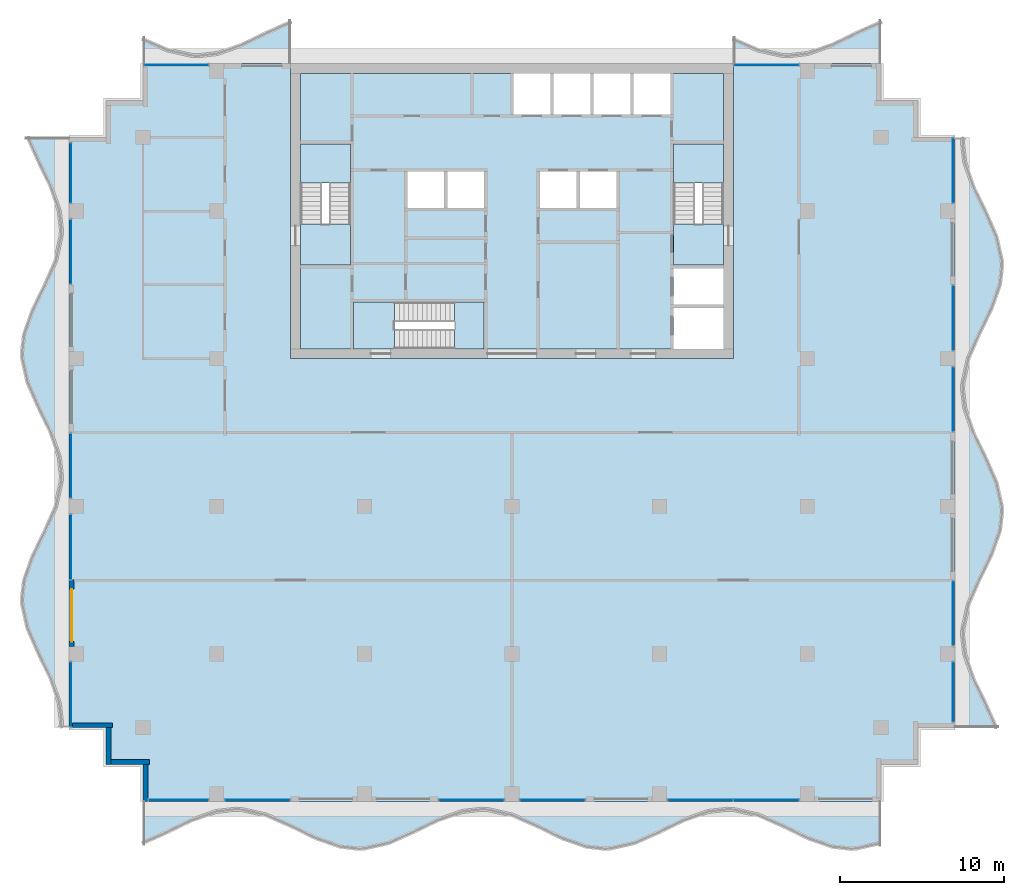
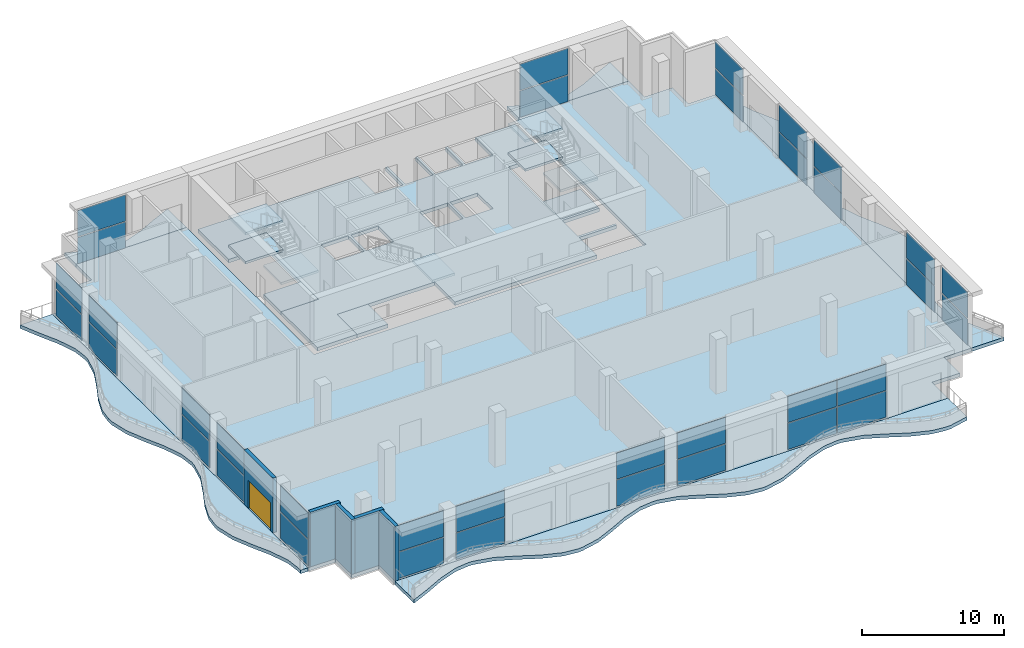
# One storey, part 6 of 14: 36 plates, 17 slabs, 5 walls, 1 door, 1 opening, 20 elements without a shape of their own.
"""IFC4 building model written with IfcOpenShell, lengths in metres."""

from ifc_helpers import new_model, si_unit, direction, frame, frame_2d, origin, origin_2d, place, context, subcontext, project, spatial, polyline, rectangle, outline, extrude, material, layer, layer_set, type_object, element, fill, aggregate, save


model = new_model("IFC4")

# Units and contexts
model_context = context("Model", 3, precision=1e-05, world=origin(), true_north=direction((0.0, 1.0)))
body_context = subcontext(model_context, "Body", "Model", "MODEL_VIEW")
ifc_project = project(units=[si_unit("LENGTHUNIT", "METRE"), si_unit("AREAUNIT", "SQUARE_METRE"), si_unit("VOLUMEUNIT", "CUBIC_METRE"), si_unit("PLANEANGLEUNIT", "RADIAN"), si_unit("MASSUNIT", "GRAM", prefix="KILO")], contexts=[model_context])

# Site, building, storey
site_placement = place(None, origin())
site = spatial("IfcSite", under=ifc_project, at=site_placement, CompositionType="ELEMENT")
building_placement = place(site_placement, origin())
building = spatial("IfcBuilding", under=site, at=building_placement, Name="Orbiselva Terraces", CompositionType="ELEMENT")
storey_placement = place(building_placement, frame((0.0, 0.0, 284.4)))
storey = spatial("IfcBuildingStorey", under=building, at=storey_placement, Name="L72", CompositionType="ELEMENT", Elevation=284.4)

# Slabs
ifc_material_1 = material(Name="Concrete C40/50", Category="concrete")
ifc_layer_1 = layer(ifc_material_1, 0.3)
ifc_layer_set_1 = layer_set([ifc_layer_1], Name="Concrete C40/50")
slab_type_1 = type_object("IfcSlabType", Name="CORE-SLAB-FLOOR-300", PredefinedType="FLOOR", material=ifc_layer_set_1)
slab_1_placement = place(storey_placement, frame((0.0, 0.0, -0.3)))
element("IfcSlab", 1, at=slab_1_placement, inside=storey, type_object=slab_type_1, Name="L72 S1 floor landing", PredefinedType="FLOOR", context=body_context, shape_type="SweptSolid", body=[
    extrude(outline(polyline([(-12.9, 12.7), (-9.85, 12.7), (-9.85, 10.2), (-12.9, 10.2), (-12.9, 12.7)])), origin(), (0.0, 0.0, 1.0), 0.3),
])
slab_2_placement = place(storey_placement, frame((0.0, 0.0, -0.3)))
element("IfcSlab", 2, at=slab_2_placement, inside=storey, type_object=slab_type_1, Name="L72 S2 floor landing", PredefinedType="FLOOR", context=body_context, shape_type="SweptSolid", body=[
    extrude(outline(polyline([(12.9, 12.7), (12.9, 10.2), (9.85, 10.2), (9.85, 12.7), (12.9, 12.7)])), origin(), (0.0, 0.0, 1.0), 0.3),
])
slab_3_placement = place(storey_placement, frame((0.0, 0.0, -0.3)))
element("IfcSlab", 3, at=slab_3_placement, inside=storey, type_object=slab_type_1, Name="L72 S3 floor landing", PredefinedType="FLOOR", context=body_context, shape_type="SweptSolid", body=[
    extrude(outline(polyline([(-7.15, 5.1), (-9.65, 5.1), (-9.65, 7.95), (-7.15, 7.95), (-7.15, 5.1)])), origin(), (0.0, 0.0, 1.0), 0.3),
])
slab_4_placement = place(storey_placement, frame((0.0, 0.0, -0.3)))
element("IfcSlab", 4, at=slab_4_placement, inside=storey, type_object=slab_type_1, Name="L72 core floor slab 1", PredefinedType="FLOOR", context=body_context, shape_type="SweptSolid", body=[
    extrude(outline(polyline([(-1.7, 5.1), (-1.7, 7.95), (-9.65, 7.95), (-9.65, 5.1), (-12.9, 5.1), (-12.9, 10.2), (-9.85, 10.2), (-9.85, 17.6), (-12.9, 17.6), (-12.9, 21.9), (0.1, 21.9), (0.1, 19.4), (2.3375, 19.4), (2.3375, 21.9), (2.5375, 21.9), (2.5375, 19.4), (4.775, 19.4), (4.775, 21.9), (4.975, 21.9), (4.975, 19.4), (7.2125, 19.4), (7.2125, 21.9), (7.4125, 21.9), (7.4125, 19.4), (9.65, 19.4), (9.65, 21.9), (12.9, 21.9), (12.9, 17.6), (9.85, 17.6), (9.85, 10.2), (12.9, 10.2), (12.9, 10.0), (9.85, 10.0), (9.85, 7.8), (12.9, 7.8), (12.9, 7.6), (9.85, 7.6), (9.85, 5.1), (-1.7, 5.1)]), holes=[polyline([(-4.1375, 13.7), (-4.1375, 15.9), (-6.375, 15.9), (-6.375, 13.7), (-4.1375, 13.7)]), polyline([(-1.7, 13.7), (-1.7, 15.9), (-3.9375, 15.9), (-3.9375, 13.7), (-1.7, 13.7)]), polyline([(3.9375, 15.9), (1.7, 15.9), (1.7, 13.7), (3.9375, 13.7), (3.9375, 15.9)]), polyline([(6.375, 13.7), (6.375, 15.9), (4.1375, 15.9), (4.1375, 13.7), (6.375, 13.7)])]), origin(), (0.0, 0.0, 1.0), 0.3),
])

# Stair, slabs
stair_type_1 = type_object("IfcStairType", Name="CORE-STAIR-1300", PredefinedType="HALF_TURN_STAIR", material=ifc_material_1)
stair_1_placement = place(storey_placement, origin())
stair_1 = element("IfcStair", 5, at=stair_1_placement, inside=storey, type_object=stair_type_1, Name="L72 Exit Stair S1", PredefinedType="HALF_TURN_STAIR")
ifc_layer_2 = layer(ifc_material_1, 0.2)
ifc_layer_set_2 = layer_set([ifc_layer_2], Name="Concrete C40/50")
slab_type_2 = type_object("IfcSlabType", Name="CORE-STAIR-LANDING-200", PredefinedType="LANDING", material=ifc_layer_set_2)
slab_5_placement = place(storey_placement, frame((0.0, 0.0, 1.05)))
slab_5 = element("IfcSlab", 6, at=slab_5_placement, type_object=slab_type_2, Name="S1 landing 1", PredefinedType="LANDING", context=body_context, shape_type="SweptSolid", body=[
    extrude(outline(polyline([(-9.85, 15.22), (-9.85, 17.6), (-12.9, 17.6), (-12.9, 15.22), (-9.85, 15.22)])), origin(), (0.0, 0.0, 1.0), 0.2),
])
slab_6_placement = place(storey_placement, frame((0.0, 0.0, 2.3)))
slab_6 = element("IfcSlab", 7, at=slab_6_placement, type_object=slab_type_2, Name="S1 landing 2", PredefinedType="LANDING", context=body_context, shape_type="SweptSolid", body=[
    extrude(outline(polyline([(-9.85, 10.2), (-9.85, 12.7), (-12.9, 12.7), (-12.9, 10.2), (-9.85, 10.2)])), origin(), (0.0, 0.0, 1.0), 0.2),
])
slab_7_placement = place(storey_placement, frame((0.0, 0.0, 3.55)))
slab_7 = element("IfcSlab", 8, at=slab_7_placement, type_object=slab_type_2, Name="S1 landing 3", PredefinedType="LANDING", context=body_context, shape_type="SweptSolid", body=[
    extrude(outline(polyline([(-9.85, 15.22), (-9.85, 17.6), (-12.9, 17.6), (-12.9, 15.22), (-9.85, 15.22)])), origin(), (0.0, 0.0, 1.0), 0.2),
])
aggregate(stair_1, [slab_5, slab_6, slab_7])

stair_2_placement = place(storey_placement, origin())
stair_2 = element("IfcStair", 9, at=stair_2_placement, inside=storey, type_object=stair_type_1, Name="L72 Exit Stair S2", PredefinedType="HALF_TURN_STAIR")
slab_8_placement = place(storey_placement, frame((0.0, 0.0, 1.05)))
slab_8 = element("IfcSlab", 10, at=slab_8_placement, type_object=slab_type_2, Name="S2 landing 1", PredefinedType="LANDING", context=body_context, shape_type="SweptSolid", body=[
    extrude(outline(polyline([(12.9, 15.22), (12.9, 17.6), (9.85, 17.6), (9.85, 15.22), (12.9, 15.22)])), origin(), (0.0, 0.0, 1.0), 0.2),
])
slab_9_placement = place(storey_placement, frame((0.0, 0.0, 2.3)))
slab_9 = element("IfcSlab", 11, at=slab_9_placement, type_object=slab_type_2, Name="S2 landing 2", PredefinedType="LANDING", context=body_context, shape_type="SweptSolid", body=[
    extrude(outline(polyline([(12.9, 10.2), (12.9, 12.7), (9.85, 12.7), (9.85, 10.2), (12.9, 10.2)])), origin(), (0.0, 0.0, 1.0), 0.2),
])
slab_10_placement = place(storey_placement, frame((0.0, 0.0, 3.55)))
slab_10 = element("IfcSlab", 12, at=slab_10_placement, type_object=slab_type_2, Name="S2 landing 3", PredefinedType="LANDING", context=body_context, shape_type="SweptSolid", body=[
    extrude(outline(polyline([(12.9, 15.22), (12.9, 17.6), (9.85, 17.6), (9.85, 15.22), (12.9, 15.22)])), origin(), (0.0, 0.0, 1.0), 0.2),
])
aggregate(stair_2, [slab_8, slab_9, slab_10])

# Stair, slab
stair_type_2 = type_object("IfcStairType", Name="CORE-STAIR-1200", PredefinedType="HALF_TURN_STAIR", material=ifc_material_1)
stair_3_placement = place(storey_placement, origin())
stair_3 = element("IfcStair", 13, at=stair_3_placement, inside=storey, type_object=stair_type_2, Name="L72 Exit Stair S3", PredefinedType="HALF_TURN_STAIR")
slab_11_placement = place(storey_placement, frame((0.0, 0.0, 2.3)))
slab_11 = element("IfcSlab", 14, at=slab_11_placement, type_object=slab_type_2, Name="S3 landing 1", PredefinedType="LANDING", context=body_context, shape_type="SweptSolid", body=[
    extrude(outline(polyline([(-3.51, 5.1), (-1.7, 5.1), (-1.7, 7.95), (-3.51, 7.95), (-3.51, 5.1)])), origin(), (0.0, 0.0, 1.0), 0.2),
])
aggregate(stair_3, [slab_11])

# Slabs
ifc_material_2 = material(Name="Concrete C50/60", Category="concrete")
ifc_layer_3 = layer(ifc_material_2, 0.3)
ifc_layer_set_3 = layer_set([ifc_layer_3], Name="Concrete C50/60")
slab_type_3 = type_object("IfcSlabType", Name="ENV-BALCONY-SLAB-300", PredefinedType="FLOOR", material=ifc_layer_set_3)
slab_12_placement = place(storey_placement, frame((0.0, 0.0, -0.3)))
element("IfcSlab", 15, at=slab_12_placement, inside=storey, type_object=slab_type_3, Name="Balcony slab L72 S", PredefinedType="FLOOR", context=body_context, shape_type="SweptSolid", body=[
    extrude(outline(polyline([(-22.5, -25.148528), (-21.0, -24.487721), (-19.5, -23.755211), (-18.0, -23.230792), (-16.875, -23.1), (-16.5, -23.114774), (-15.0, -23.451472), (-13.5, -24.112279), (-12.0, -24.844789), (-10.5, -25.369208), (-9.375, -25.5), (-9.0, -25.485226), (-7.5, -25.148528), (-6.0, -24.487721), (-4.5, -23.755211), (-3.0, -23.230792), (-1.875, -23.1), (-1.5, -23.114774), (0.0, -23.451472), (1.5, -24.112279), (3.0, -24.844789), (4.5, -25.369208), (5.625, -25.5), (6.0, -25.485226), (7.5, -25.148528), (9.0, -24.487721), (10.5, -23.755211), (12.0, -23.230792), (13.125, -23.1), (13.5, -23.114774), (15.0, -23.451472), (16.5, -24.112279), (18.0, -24.844789), (19.5, -25.369208), (20.625, -25.5), (21.0, -25.485226), (22.5, -25.148528), (22.5, -22.5), (-22.5, -22.5), (-22.5, -25.148528)])), origin(), (0.0, 0.0, 1.0), 0.3),
])
slab_13_placement = place(storey_placement, frame((0.0, 0.0, -0.3)))
element("IfcSlab", 16, at=slab_13_placement, inside=storey, type_object=slab_type_3, Name="Balcony slab L72 E", PredefinedType="FLOOR", context=body_context, shape_type="SweptSolid", body=[
    extrude(outline(polyline([(29.648528, -18.0), (28.987721, -16.5), (28.255211, -15.0), (27.730792, -13.5), (27.6, -12.375), (27.614774, -12.0), (27.951472, -10.5), (28.612279, -9.0), (29.344789, -7.5), (29.869208, -6.0), (30.0, -4.875), (29.985226, -4.5), (29.648528, -3.0), (28.987721, -1.5), (28.255211, 0.0), (27.730792, 1.5), (27.6, 2.625), (27.614774, 3.0), (27.951472, 4.5), (28.612279, 6.0), (29.344789, 7.5), (29.869208, 9.0), (30.0, 10.125), (29.985226, 10.5), (29.648528, 12.0), (28.987721, 13.5), (28.255211, 15.0), (27.730792, 16.5), (27.6, 17.625), (27.614774, 18.0), (27.0, 18.0), (27.0, -18.0), (29.648528, -18.0)])), origin(), (0.0, 0.0, 1.0), 0.3),
])
slab_14_placement = place(storey_placement, frame((0.0, 0.0, -0.3)))
element("IfcSlab", 17, at=slab_14_placement, inside=storey, type_object=slab_type_3, Name="Balcony slab L72 NE", PredefinedType="FLOOR", context=body_context, shape_type="SweptSolid", body=[
    extrude(outline(polyline([(22.5, 25.148528), (21.0, 24.487721), (19.5, 23.755211), (18.0, 23.230792), (16.875, 23.1), (16.5, 23.114774), (15.0, 23.451472), (13.5, 24.112279), (13.5, 22.5), (22.5, 22.5), (22.5, 25.148528)])), origin(), (0.0, 0.0, 1.0), 0.3),
])
slab_15_placement = place(storey_placement, frame((0.0, 0.0, -0.3)))
element("IfcSlab", 18, at=slab_15_placement, inside=storey, type_object=slab_type_3, Name="Balcony slab L72 NW", PredefinedType="FLOOR", context=body_context, shape_type="SweptSolid", body=[
    extrude(outline(polyline([(-13.5, 25.148528), (-15.0, 24.487721), (-16.5, 23.755211), (-18.0, 23.230792), (-19.125, 23.1), (-19.5, 23.114774), (-21.0, 23.451472), (-22.5, 24.112279), (-22.5, 22.5), (-13.5, 22.5), (-13.5, 25.148528)])), origin(), (0.0, 0.0, 1.0), 0.3),
])
slab_16_placement = place(storey_placement, frame((0.0, 0.0, -0.3)))
element("IfcSlab", 19, at=slab_16_placement, inside=storey, type_object=slab_type_3, Name="Balcony slab L72 W", PredefinedType="FLOOR", context=body_context, shape_type="SweptSolid", body=[
    extrude(outline(polyline([(-29.648528, 18.0), (-28.987721, 16.5), (-28.255211, 15.0), (-27.730792, 13.5), (-27.6, 12.375), (-27.614774, 12.0), (-27.951472, 10.5), (-28.612279, 9.0), (-29.344789, 7.5), (-29.869208, 6.0), (-30.0, 4.875), (-29.985226, 4.5), (-29.648528, 3.0), (-28.987721, 1.5), (-28.255211, 0.0), (-27.730792, -1.5), (-27.6, -2.625), (-27.614774, -3.0), (-27.951472, -4.5), (-28.612279, -6.0), (-29.344789, -7.5), (-29.869208, -9.0), (-30.0, -10.125), (-29.985226, -10.5), (-29.648528, -12.0), (-28.987721, -13.5), (-28.255211, -15.0), (-27.730792, -16.5), (-27.6, -17.625), (-27.614774, -18.0), (-27.0, -18.0), (-27.0, 18.0), (-29.648528, 18.0)])), origin(), (0.0, 0.0, 1.0), 0.3),
])

# Curtain wall, plates
ifc_material_3 = material(Name="Clear low-e glazing in aluminium frame", Category="aluminium")
curtain_wall_type = type_object("IfcCurtainWallType", Name="ENV-CW-SKY", PredefinedType="NOTDEFINED", material=ifc_material_3)
curtain_wall_1_placement = place(storey_placement, origin())
curtain_wall_1 = element("IfcCurtainWall", 20, at=curtain_wall_1_placement, inside=storey, type_object=curtain_wall_type, Name="Curtain wall L72 S", PredefinedType="NOTDEFINED")
ifc_material_4 = material(Name="Clear low-e glass", Category="glass")
ifc_layer_4 = layer(ifc_material_4, 0.028)
ifc_layer_set_4 = layer_set([ifc_layer_4], Name="Clear low-e glass")
plate_type = type_object("IfcPlateType", Name="ENV-CW-SKY-PANEL-28", PredefinedType="CURTAIN_PANEL", material=ifc_layer_set_4)
plate_1_placement = place(storey_placement, frame((-20.325, -22.4, 0.065), z_axis=(0.0, 0.0, 1.0), x_axis=(1.0, 0.0, 0.0)))
plate_1 = element("IfcPlate", 21, at=plate_1_placement, type_object=plate_type, Name="CW3 panel 1.1", PredefinedType="CURTAIN_PANEL", context=body_context, shape_type="SweptSolid", body=[
    extrude(rectangle(XDim=3.62, YDim=0.028, at=origin_2d()), origin(), (0.0, 0.0, 1.0), 2.2525),
])
plate_2_placement = place(storey_placement, frame((-20.325, -22.4, 2.3825), z_axis=(0.0, 0.0, 1.0), x_axis=(1.0, 0.0, 0.0)))
plate_2 = element("IfcPlate", 22, at=plate_2_placement, type_object=plate_type, Name="CW3 panel 1.2", PredefinedType="CURTAIN_PANEL", context=body_context, shape_type="SweptSolid", body=[
    extrude(rectangle(XDim=3.62, YDim=0.028, at=origin_2d()), origin(), (0.0, 0.0, 1.0), 2.2525),
])
aggregate(curtain_wall_1, [plate_1, plate_2])

curtain_wall_2_placement = place(storey_placement, origin())
curtain_wall_2 = element("IfcCurtainWall", 23, at=curtain_wall_2_placement, inside=storey, type_object=curtain_wall_type, Name="Curtain wall L72 S", PredefinedType="NOTDEFINED")
plate_3_placement = place(storey_placement, frame((-15.525, -22.4, 0.065), z_axis=(0.0, 0.0, 1.0), x_axis=(1.0, 0.0, 0.0)))
plate_3 = element("IfcPlate", 24, at=plate_3_placement, type_object=plate_type, Name="CW3 panel 1.1", PredefinedType="CURTAIN_PANEL", context=body_context, shape_type="SweptSolid", body=[
    extrude(rectangle(XDim=3.92, YDim=0.028, at=origin_2d()), origin(), (0.0, 0.0, 1.0), 2.2525),
])
plate_4_placement = place(storey_placement, frame((-15.525, -22.4, 2.3825), z_axis=(0.0, 0.0, 1.0), x_axis=(1.0, 0.0, 0.0)))
plate_4 = element("IfcPlate", 25, at=plate_4_placement, type_object=plate_type, Name="CW3 panel 1.2", PredefinedType="CURTAIN_PANEL", context=body_context, shape_type="SweptSolid", body=[
    extrude(rectangle(XDim=3.92, YDim=0.028, at=origin_2d()), origin(), (0.0, 0.0, 1.0), 2.2525),
])
aggregate(curtain_wall_2, [plate_3, plate_4])

curtain_wall_3_placement = place(storey_placement, origin())
curtain_wall_3 = element("IfcCurtainWall", 26, at=curtain_wall_3_placement, inside=storey, type_object=curtain_wall_type, Name="Curtain wall L72 S", PredefinedType="NOTDEFINED")
plate_5_placement = place(storey_placement, frame((-2.475, -22.4, 0.065), z_axis=(0.0, 0.0, 1.0), x_axis=(1.0, 0.0, 0.0)))
plate_5 = element("IfcPlate", 27, at=plate_5_placement, type_object=plate_type, Name="CW3 panel 1.1", PredefinedType="CURTAIN_PANEL", context=body_context, shape_type="SweptSolid", body=[
    extrude(rectangle(XDim=3.92, YDim=0.028, at=origin_2d()), origin(), (0.0, 0.0, 1.0), 2.2525),
])
plate_6_placement = place(storey_placement, frame((-2.475, -22.4, 2.3825), z_axis=(0.0, 0.0, 1.0), x_axis=(1.0, 0.0, 0.0)))
plate_6 = element("IfcPlate", 28, at=plate_6_placement, type_object=plate_type, Name="CW3 panel 1.2", PredefinedType="CURTAIN_PANEL", context=body_context, shape_type="SweptSolid", body=[
    extrude(rectangle(XDim=3.92, YDim=0.028, at=origin_2d()), origin(), (0.0, 0.0, 1.0), 2.2525),
])
aggregate(curtain_wall_3, [plate_5, plate_6])

curtain_wall_4_placement = place(storey_placement, origin())
curtain_wall_4 = element("IfcCurtainWall", 29, at=curtain_wall_4_placement, inside=storey, type_object=curtain_wall_type, Name="Curtain wall L72 S", PredefinedType="NOTDEFINED")
plate_7_placement = place(storey_placement, frame((2.475, -22.4, 0.065), z_axis=(0.0, 0.0, 1.0), x_axis=(1.0, 0.0, 0.0)))
plate_7 = element("IfcPlate", 30, at=plate_7_placement, type_object=plate_type, Name="CW3 panel 1.1", PredefinedType="CURTAIN_PANEL", context=body_context, shape_type="SweptSolid", body=[
    extrude(rectangle(XDim=3.92, YDim=0.028, at=origin_2d()), origin(), (0.0, 0.0, 1.0), 2.2525),
])
plate_8_placement = place(storey_placement, frame((2.475, -22.4, 2.3825), z_axis=(0.0, 0.0, 1.0), x_axis=(1.0, 0.0, 0.0)))
plate_8 = element("IfcPlate", 31, at=plate_8_placement, type_object=plate_type, Name="CW3 panel 1.2", PredefinedType="CURTAIN_PANEL", context=body_context, shape_type="SweptSolid", body=[
    extrude(rectangle(XDim=3.92, YDim=0.028, at=origin_2d()), origin(), (0.0, 0.0, 1.0), 2.2525),
])
aggregate(curtain_wall_4, [plate_7, plate_8])

curtain_wall_5_placement = place(storey_placement, origin())
curtain_wall_5 = element("IfcCurtainWall", 32, at=curtain_wall_5_placement, inside=storey, type_object=curtain_wall_type, Name="Curtain wall L72 S", PredefinedType="NOTDEFINED")
plate_9_placement = place(storey_placement, frame((11.49125, -22.4, 0.065), z_axis=(0.0, 0.0, 1.0), x_axis=(1.0, 0.0, 0.0)))
plate_9 = element("IfcPlate", 33, at=plate_9_placement, type_object=plate_type, Name="CW3 panel 1.1", PredefinedType="CURTAIN_PANEL", context=body_context, shape_type="SweptSolid", body=[
    extrude(rectangle(XDim=3.9525, YDim=0.028, at=origin_2d()), origin(), (0.0, 0.0, 1.0), 2.2525),
])
plate_10_placement = place(storey_placement, frame((11.49125, -22.4, 2.3825), z_axis=(0.0, 0.0, 1.0), x_axis=(1.0, 0.0, 0.0)))
plate_10 = element("IfcPlate", 34, at=plate_10_placement, type_object=plate_type, Name="CW3 panel 1.2", PredefinedType="CURTAIN_PANEL", context=body_context, shape_type="SweptSolid", body=[
    extrude(rectangle(XDim=3.9525, YDim=0.028, at=origin_2d()), origin(), (0.0, 0.0, 1.0), 2.2525),
])
plate_11_placement = place(storey_placement, frame((15.50875, -22.4, 0.065), z_axis=(0.0, 0.0, 1.0), x_axis=(1.0, 0.0, 0.0)))
plate_11 = element("IfcPlate", 35, at=plate_11_placement, type_object=plate_type, Name="CW3 panel 2.1", PredefinedType="CURTAIN_PANEL", context=body_context, shape_type="SweptSolid", body=[
    extrude(rectangle(XDim=3.9525, YDim=0.028, at=origin_2d()), origin(), (0.0, 0.0, 1.0), 2.2525),
])
plate_12_placement = place(storey_placement, frame((15.50875, -22.4, 2.3825), z_axis=(0.0, 0.0, 1.0), x_axis=(1.0, 0.0, 0.0)))
plate_12 = element("IfcPlate", 36, at=plate_12_placement, type_object=plate_type, Name="CW3 panel 2.2", PredefinedType="CURTAIN_PANEL", context=body_context, shape_type="SweptSolid", body=[
    extrude(rectangle(XDim=3.9525, YDim=0.028, at=origin_2d()), origin(), (0.0, 0.0, 1.0), 2.2525),
])
aggregate(curtain_wall_5, [plate_9, plate_10, plate_11, plate_12])

curtain_wall_6_placement = place(storey_placement, origin())
curtain_wall_6 = element("IfcCurtainWall", 37, at=curtain_wall_6_placement, inside=storey, type_object=curtain_wall_type, Name="Curtain wall L72 E", PredefinedType="NOTDEFINED")
plate_13_placement = place(storey_placement, frame((26.9, -15.825, 0.065), z_axis=(0.0, 0.0, 1.0), x_axis=(0.0, 1.0, 0.0)))
plate_13 = element("IfcPlate", 38, at=plate_13_placement, type_object=plate_type, Name="CW3 panel 1.1", PredefinedType="CURTAIN_PANEL", context=body_context, shape_type="SweptSolid", body=[
    extrude(rectangle(XDim=3.62, YDim=0.028, at=origin_2d()), origin(), (0.0, 0.0, 1.0), 2.2525),
])
plate_14_placement = place(storey_placement, frame((26.9, -15.825, 2.3825), z_axis=(0.0, 0.0, 1.0), x_axis=(0.0, 1.0, 0.0)))
plate_14 = element("IfcPlate", 39, at=plate_14_placement, type_object=plate_type, Name="CW3 panel 1.2", PredefinedType="CURTAIN_PANEL", context=body_context, shape_type="SweptSolid", body=[
    extrude(rectangle(XDim=3.62, YDim=0.028, at=origin_2d()), origin(), (0.0, 0.0, 1.0), 2.2525),
])
aggregate(curtain_wall_6, [plate_13, plate_14])

curtain_wall_7_placement = place(storey_placement, origin())
curtain_wall_7 = element("IfcCurtainWall", 40, at=curtain_wall_7_placement, inside=storey, type_object=curtain_wall_type, Name="Curtain wall L72 E", PredefinedType="NOTDEFINED")
plate_15_placement = place(storey_placement, frame((26.9, -11.025, 0.065), z_axis=(0.0, 0.0, 1.0), x_axis=(0.0, 1.0, 0.0)))
plate_15 = element("IfcPlate", 41, at=plate_15_placement, type_object=plate_type, Name="CW3 panel 1.1", PredefinedType="CURTAIN_PANEL", context=body_context, shape_type="SweptSolid", body=[
    extrude(rectangle(XDim=3.92, YDim=0.028, at=origin_2d()), origin(), (0.0, 0.0, 1.0), 2.2525),
])
plate_16_placement = place(storey_placement, frame((26.9, -11.025, 2.3825), z_axis=(0.0, 0.0, 1.0), x_axis=(0.0, 1.0, 0.0)))
plate_16 = element("IfcPlate", 42, at=plate_16_placement, type_object=plate_type, Name="CW3 panel 1.2", PredefinedType="CURTAIN_PANEL", context=body_context, shape_type="SweptSolid", body=[
    extrude(rectangle(XDim=3.92, YDim=0.028, at=origin_2d()), origin(), (0.0, 0.0, 1.0), 2.2525),
])
aggregate(curtain_wall_7, [plate_15, plate_16])

curtain_wall_8_placement = place(storey_placement, origin())
curtain_wall_8 = element("IfcCurtainWall", 43, at=curtain_wall_8_placement, inside=storey, type_object=curtain_wall_type, Name="Curtain wall L72 E", PredefinedType="NOTDEFINED")
plate_17_placement = place(storey_placement, frame((26.9, 2.025, 0.065), z_axis=(0.0, 0.0, 1.0), x_axis=(0.0, 1.0, 0.0)))
plate_17 = element("IfcPlate", 44, at=plate_17_placement, type_object=plate_type, Name="CW3 panel 1.1", PredefinedType="CURTAIN_PANEL", context=body_context, shape_type="SweptSolid", body=[
    extrude(rectangle(XDim=3.92, YDim=0.028, at=origin_2d()), origin(), (0.0, 0.0, 1.0), 2.2525),
])
plate_18_placement = place(storey_placement, frame((26.9, 2.025, 2.3825), z_axis=(0.0, 0.0, 1.0), x_axis=(0.0, 1.0, 0.0)))
plate_18 = element("IfcPlate", 45, at=plate_18_placement, type_object=plate_type, Name="CW3 panel 1.2", PredefinedType="CURTAIN_PANEL", context=body_context, shape_type="SweptSolid", body=[
    extrude(rectangle(XDim=3.92, YDim=0.028, at=origin_2d()), origin(), (0.0, 0.0, 1.0), 2.2525),
])
aggregate(curtain_wall_8, [plate_17, plate_18])

curtain_wall_9_placement = place(storey_placement, origin())
curtain_wall_9 = element("IfcCurtainWall", 46, at=curtain_wall_9_placement, inside=storey, type_object=curtain_wall_type, Name="Curtain wall L72 E", PredefinedType="NOTDEFINED")
plate_19_placement = place(storey_placement, frame((26.9, 6.975, 0.065), z_axis=(0.0, 0.0, 1.0), x_axis=(0.0, 1.0, 0.0)))
plate_19 = element("IfcPlate", 47, at=plate_19_placement, type_object=plate_type, Name="CW3 panel 1.1", PredefinedType="CURTAIN_PANEL", context=body_context, shape_type="SweptSolid", body=[
    extrude(rectangle(XDim=3.92, YDim=0.028, at=origin_2d()), origin(), (0.0, 0.0, 1.0), 2.2525),
])
plate_20_placement = place(storey_placement, frame((26.9, 6.975, 2.3825), z_axis=(0.0, 0.0, 1.0), x_axis=(0.0, 1.0, 0.0)))
plate_20 = element("IfcPlate", 48, at=plate_20_placement, type_object=plate_type, Name="CW3 panel 1.2", PredefinedType="CURTAIN_PANEL", context=body_context, shape_type="SweptSolid", body=[
    extrude(rectangle(XDim=3.92, YDim=0.028, at=origin_2d()), origin(), (0.0, 0.0, 1.0), 2.2525),
])
aggregate(curtain_wall_9, [plate_19, plate_20])

curtain_wall_10_placement = place(storey_placement, origin())
curtain_wall_10 = element("IfcCurtainWall", 49, at=curtain_wall_10_placement, inside=storey, type_object=curtain_wall_type, Name="Curtain wall L72 E", PredefinedType="NOTDEFINED")
plate_21_placement = place(storey_placement, frame((26.9, 15.975, 0.065), z_axis=(0.0, 0.0, 1.0), x_axis=(0.0, 1.0, 0.0)))
plate_21 = element("IfcPlate", 50, at=plate_21_placement, type_object=plate_type, Name="CW3 panel 1.1", PredefinedType="CURTAIN_PANEL", context=body_context, shape_type="SweptSolid", body=[
    extrude(rectangle(XDim=3.92, YDim=0.028, at=origin_2d()), origin(), (0.0, 0.0, 1.0), 2.2525),
])
plate_22_placement = place(storey_placement, frame((26.9, 15.975, 2.3825), z_axis=(0.0, 0.0, 1.0), x_axis=(0.0, 1.0, 0.0)))
plate_22 = element("IfcPlate", 51, at=plate_22_placement, type_object=plate_type, Name="CW3 panel 1.2", PredefinedType="CURTAIN_PANEL", context=body_context, shape_type="SweptSolid", body=[
    extrude(rectangle(XDim=3.92, YDim=0.028, at=origin_2d()), origin(), (0.0, 0.0, 1.0), 2.2525),
])
aggregate(curtain_wall_10, [plate_21, plate_22])

curtain_wall_11_placement = place(storey_placement, origin())
curtain_wall_11 = element("IfcCurtainWall", 52, at=curtain_wall_11_placement, inside=storey, type_object=curtain_wall_type, Name="Curtain wall L72 NE", PredefinedType="NOTDEFINED")
plate_23_placement = place(storey_placement, frame((15.525, 22.4, 0.065), z_axis=(0.0, 0.0, 1.0), x_axis=(-1.0, 0.0, 0.0)))
plate_23 = element("IfcPlate", 53, at=plate_23_placement, type_object=plate_type, Name="CW3 panel 1.1", PredefinedType="CURTAIN_PANEL", context=body_context, shape_type="SweptSolid", body=[
    extrude(rectangle(XDim=3.92, YDim=0.028, at=origin_2d()), origin(), (0.0, 0.0, 1.0), 2.2525),
])
plate_24_placement = place(storey_placement, frame((15.525, 22.4, 2.3825), z_axis=(0.0, 0.0, 1.0), x_axis=(-1.0, 0.0, 0.0)))
plate_24 = element("IfcPlate", 54, at=plate_24_placement, type_object=plate_type, Name="CW3 panel 1.2", PredefinedType="CURTAIN_PANEL", context=body_context, shape_type="SweptSolid", body=[
    extrude(rectangle(XDim=3.92, YDim=0.028, at=origin_2d()), origin(), (0.0, 0.0, 1.0), 2.2525),
])
aggregate(curtain_wall_11, [plate_23, plate_24])

curtain_wall_12_placement = place(storey_placement, origin())
curtain_wall_12 = element("IfcCurtainWall", 55, at=curtain_wall_12_placement, inside=storey, type_object=curtain_wall_type, Name="Curtain wall L72 NW", PredefinedType="NOTDEFINED")
plate_25_placement = place(storey_placement, frame((-20.475, 22.4, 0.065), z_axis=(0.0, 0.0, 1.0), x_axis=(-1.0, 0.0, 0.0)))
plate_25 = element("IfcPlate", 56, at=plate_25_placement, type_object=plate_type, Name="CW3 panel 1.1", PredefinedType="CURTAIN_PANEL", context=body_context, shape_type="SweptSolid", body=[
    extrude(rectangle(XDim=3.92, YDim=0.028, at=origin_2d()), origin(), (0.0, 0.0, 1.0), 2.2525),
])
plate_26_placement = place(storey_placement, frame((-20.475, 22.4, 2.3825), z_axis=(0.0, 0.0, 1.0), x_axis=(-1.0, 0.0, 0.0)))
plate_26 = element("IfcPlate", 57, at=plate_26_placement, type_object=plate_type, Name="CW3 panel 1.2", PredefinedType="CURTAIN_PANEL", context=body_context, shape_type="SweptSolid", body=[
    extrude(rectangle(XDim=3.92, YDim=0.028, at=origin_2d()), origin(), (0.0, 0.0, 1.0), 2.2525),
])
aggregate(curtain_wall_12, [plate_25, plate_26])

curtain_wall_13_placement = place(storey_placement, origin())
curtain_wall_13 = element("IfcCurtainWall", 58, at=curtain_wall_13_placement, inside=storey, type_object=curtain_wall_type, Name="Curtain wall L72 W", PredefinedType="NOTDEFINED")
plate_27_placement = place(storey_placement, frame((-26.9, 15.825, 0.065), z_axis=(0.0, 0.0, 1.0), x_axis=(0.0, -1.0, 0.0)))
plate_27 = element("IfcPlate", 59, at=plate_27_placement, type_object=plate_type, Name="CW3 panel 1.1", PredefinedType="CURTAIN_PANEL", context=body_context, shape_type="SweptSolid", body=[
    extrude(rectangle(XDim=3.62, YDim=0.028, at=origin_2d()), origin(), (0.0, 0.0, 1.0), 2.2525),
])
plate_28_placement = place(storey_placement, frame((-26.9, 15.825, 2.3825), z_axis=(0.0, 0.0, 1.0), x_axis=(0.0, -1.0, 0.0)))
plate_28 = element("IfcPlate", 60, at=plate_28_placement, type_object=plate_type, Name="CW3 panel 1.2", PredefinedType="CURTAIN_PANEL", context=body_context, shape_type="SweptSolid", body=[
    extrude(rectangle(XDim=3.62, YDim=0.028, at=origin_2d()), origin(), (0.0, 0.0, 1.0), 2.2525),
])
aggregate(curtain_wall_13, [plate_27, plate_28])

curtain_wall_14_placement = place(storey_placement, origin())
curtain_wall_14 = element("IfcCurtainWall", 61, at=curtain_wall_14_placement, inside=storey, type_object=curtain_wall_type, Name="Curtain wall L72 W", PredefinedType="NOTDEFINED")
plate_29_placement = place(storey_placement, frame((-26.9, 11.025, 0.065), z_axis=(0.0, 0.0, 1.0), x_axis=(0.0, -1.0, 0.0)))
plate_29 = element("IfcPlate", 62, at=plate_29_placement, type_object=plate_type, Name="CW3 panel 1.1", PredefinedType="CURTAIN_PANEL", context=body_context, shape_type="SweptSolid", body=[
    extrude(rectangle(XDim=3.92, YDim=0.028, at=origin_2d()), origin(), (0.0, 0.0, 1.0), 2.2525),
])
plate_30_placement = place(storey_placement, frame((-26.9, 11.025, 2.3825), z_axis=(0.0, 0.0, 1.0), x_axis=(0.0, -1.0, 0.0)))
plate_30 = element("IfcPlate", 63, at=plate_30_placement, type_object=plate_type, Name="CW3 panel 1.2", PredefinedType="CURTAIN_PANEL", context=body_context, shape_type="SweptSolid", body=[
    extrude(rectangle(XDim=3.92, YDim=0.028, at=origin_2d()), origin(), (0.0, 0.0, 1.0), 2.2525),
])
aggregate(curtain_wall_14, [plate_29, plate_30])

curtain_wall_15_placement = place(storey_placement, origin())
curtain_wall_15 = element("IfcCurtainWall", 64, at=curtain_wall_15_placement, inside=storey, type_object=curtain_wall_type, Name="Curtain wall L72 W", PredefinedType="NOTDEFINED")
plate_31_placement = place(storey_placement, frame((-26.9, -2.025, 0.065), z_axis=(0.0, 0.0, 1.0), x_axis=(0.0, -1.0, 0.0)))
plate_31 = element("IfcPlate", 65, at=plate_31_placement, type_object=plate_type, Name="CW3 panel 1.1", PredefinedType="CURTAIN_PANEL", context=body_context, shape_type="SweptSolid", body=[
    extrude(rectangle(XDim=3.92, YDim=0.028, at=origin_2d()), origin(), (0.0, 0.0, 1.0), 2.2525),
])
plate_32_placement = place(storey_placement, frame((-26.9, -2.025, 2.3825), z_axis=(0.0, 0.0, 1.0), x_axis=(0.0, -1.0, 0.0)))
plate_32 = element("IfcPlate", 66, at=plate_32_placement, type_object=plate_type, Name="CW3 panel 1.2", PredefinedType="CURTAIN_PANEL", context=body_context, shape_type="SweptSolid", body=[
    extrude(rectangle(XDim=3.92, YDim=0.028, at=origin_2d()), origin(), (0.0, 0.0, 1.0), 2.2525),
])
aggregate(curtain_wall_15, [plate_31, plate_32])

curtain_wall_16_placement = place(storey_placement, origin())
curtain_wall_16 = element("IfcCurtainWall", 67, at=curtain_wall_16_placement, inside=storey, type_object=curtain_wall_type, Name="Curtain wall L72 W", PredefinedType="NOTDEFINED")
plate_33_placement = place(storey_placement, frame((-26.9, -6.975, 0.065), z_axis=(0.0, 0.0, 1.0), x_axis=(0.0, -1.0, 0.0)))
plate_33 = element("IfcPlate", 68, at=plate_33_placement, type_object=plate_type, Name="CW3 panel 1.1", PredefinedType="CURTAIN_PANEL", context=body_context, shape_type="SweptSolid", body=[
    extrude(rectangle(XDim=3.92, YDim=0.028, at=origin_2d()), origin(), (0.0, 0.0, 1.0), 2.2525),
])
plate_34_placement = place(storey_placement, frame((-26.9, -6.975, 2.3825), z_axis=(0.0, 0.0, 1.0), x_axis=(0.0, -1.0, 0.0)))
plate_34 = element("IfcPlate", 69, at=plate_34_placement, type_object=plate_type, Name="CW3 panel 1.2", PredefinedType="CURTAIN_PANEL", context=body_context, shape_type="SweptSolid", body=[
    extrude(rectangle(XDim=3.92, YDim=0.028, at=origin_2d()), origin(), (0.0, 0.0, 1.0), 2.2525),
])
aggregate(curtain_wall_16, [plate_33, plate_34])

curtain_wall_17_placement = place(storey_placement, origin())
curtain_wall_17 = element("IfcCurtainWall", 70, at=curtain_wall_17_placement, inside=storey, type_object=curtain_wall_type, Name="Curtain wall L72 W", PredefinedType="NOTDEFINED")
plate_35_placement = place(storey_placement, frame((-26.9, -15.975, 0.065), z_axis=(0.0, 0.0, 1.0), x_axis=(0.0, -1.0, 0.0)))
plate_35 = element("IfcPlate", 71, at=plate_35_placement, type_object=plate_type, Name="CW3 panel 1.1", PredefinedType="CURTAIN_PANEL", context=body_context, shape_type="SweptSolid", body=[
    extrude(rectangle(XDim=3.92, YDim=0.028, at=origin_2d()), origin(), (0.0, 0.0, 1.0), 2.2525),
])
plate_36_placement = place(storey_placement, frame((-26.9, -15.975, 2.3825), z_axis=(0.0, 0.0, 1.0), x_axis=(0.0, -1.0, 0.0)))
plate_36 = element("IfcPlate", 72, at=plate_36_placement, type_object=plate_type, Name="CW3 panel 1.2", PredefinedType="CURTAIN_PANEL", context=body_context, shape_type="SweptSolid", body=[
    extrude(rectangle(XDim=3.92, YDim=0.028, at=origin_2d()), origin(), (0.0, 0.0, 1.0), 2.2525),
])
aggregate(curtain_wall_17, [plate_35, plate_36])

# Slab
ifc_layer_5 = layer(ifc_material_2, 0.3)
ifc_layer_set_5 = layer_set([ifc_layer_5], Name="Concrete C50/60")
slab_type_4 = type_object("IfcSlabType", Name="FLOOR SLAB 300", PredefinedType="FLOOR", material=ifc_layer_set_5)
slab_17_placement = place(storey_placement, frame((0.0, 0.0, -0.3)))
element("IfcSlab", 73, at=slab_17_placement, inside=storey, type_object=slab_type_4, Name="Floor slab L72", PredefinedType="FLOOR", context=body_context, shape_type="SweptSolid", body=[
    extrude(outline(polyline([(22.5, 22.5), (22.5, 20.25), (24.75, 20.25), (24.75, 18.0), (27.0, 18.0), (27.0, -18.0), (24.75, -18.0), (24.75, -20.25), (22.5, -20.25), (22.5, -22.5), (-22.5, -22.5), (-22.5, -20.25), (-24.75, -20.25), (-24.75, -18.0), (-27.0, -18.0), (-27.0, 18.0), (-24.75, 18.0), (-24.75, 20.25), (-22.5, 20.25), (-22.5, 22.5), (-13.5, 22.5), (-13.5, 4.5), (13.5, 4.5), (13.5, 22.5), (22.5, 22.5)])), origin(), (0.0, 0.0, 1.0), 0.3),
])

# Wall, opening, door
ifc_material_5 = material(Name="Terracotta cladding on masonry backing", Category="masonry")
ifc_layer_6 = layer(ifc_material_5, 0.3)
ifc_layer_set_6 = layer_set([ifc_layer_6], Name="Terracotta cladding on masonry backing")
wall_type = type_object("IfcWallType", Name="ENV-WALL-TERRACOTTA-300", PredefinedType="SOLIDWALL", material=ifc_layer_set_6)
wall_1_placement = place(storey_placement, frame((-26.85, -13.05, 0.0), z_axis=(0.0, 0.0, 1.0), x_axis=(0.0, 1.0, 0.0)))
wall_1 = element("IfcWall", 74, at=wall_1_placement, inside=storey, type_object=wall_type, Name="Facade wall L72 W", PredefinedType="SOLIDWALL", context=body_context, shape_type="SweptSolid", body=[
    extrude(rectangle(XDim=4.05, YDim=0.3, at=frame_2d((2.025, 0.0))), origin(), (0.0, 0.0, 1.0), 4.7),
])
opening_placement = place(wall_1_placement, frame((0.3, 0.0, 0.0)))
opening = element("IfcOpeningElement", 75, at=opening_placement, cuts=wall_1, Name="Opening SKY-5-E12", PredefinedType="OPENING", context=body_context, shape_type="SweptSolid", body=[
    extrude(rectangle(XDim=3.2, YDim=2.4, at=frame_2d((1.6, 1.2))), frame((0.0, 0.16, 0.0), z_axis=(0.0, -1.0, 0.0), x_axis=(1.0, 0.0, 0.0)), (0.0, 0.0, 1.0), 0.32),
])
door_type = type_object("IfcDoorType", Name="BALCONY DOOR 3200 X 2400", OperationType="DOUBLE_DOOR_SLIDING", PredefinedType="DOOR", material=ifc_material_3)
door_placement = place(opening_placement, origin())
door = element("IfcDoor", 76, at=door_placement, inside=storey, type_object=door_type, Name="SKY-5-E12", OperationType="SINGLE_SWING_LEFT", OverallHeight=2.4, OverallWidth=3.2, PredefinedType="DOOR", context=body_context, shape_type="SweptSolid", body=[
    extrude(rectangle(XDim=3.2, YDim=2.4, at=frame_2d((1.6, 1.2))), frame((0.0, 0.025, 0.0), z_axis=(0.0, -1.0, 0.0), x_axis=(1.0, 0.0, 0.0)), (0.0, 0.0, 1.0), 0.05),
])
fill(opening, door)

# Walls
wall_2_placement = place(storey_placement, frame((-24.35, -17.85, 0.0), z_axis=(0.0, 0.0, 1.0), x_axis=(-1.0, 0.0, 0.0)))
element("IfcWall", 77, at=wall_2_placement, inside=storey, type_object=wall_type, Name="Facade wall L72 STEP", PredefinedType="SOLIDWALL", context=body_context, shape_type="SweptSolid", body=[
    extrude(rectangle(XDim=2.45, YDim=0.3, at=frame_2d((1.225, 0.0))), origin(), (0.0, 0.0, 1.0), 4.7),
])
wall_3_placement = place(storey_placement, frame((-24.6, -20.25, 0.0), z_axis=(0.0, 0.0, 1.0), x_axis=(0.0, 1.0, 0.0)))
element("IfcWall", 78, at=wall_3_placement, inside=storey, type_object=wall_type, Name="Facade wall L72 STEP", PredefinedType="SOLIDWALL", context=body_context, shape_type="SweptSolid", body=[
    extrude(rectangle(XDim=2.25, YDim=0.3, at=frame_2d((1.125, 0.0))), origin(), (0.0, 0.0, 1.0), 4.7),
])
wall_4_placement = place(storey_placement, frame((-22.1, -20.1, 0.0), z_axis=(0.0, 0.0, 1.0), x_axis=(-1.0, 0.0, 0.0)))
element("IfcWall", 79, at=wall_4_placement, inside=storey, type_object=wall_type, Name="Facade wall L72 STEP", PredefinedType="SOLIDWALL", context=body_context, shape_type="SweptSolid", body=[
    extrude(rectangle(XDim=2.35, YDim=0.3, at=frame_2d((1.175, 0.0))), origin(), (0.0, 0.0, 1.0), 4.7),
])
wall_5_placement = place(storey_placement, frame((-22.35, -22.5, 0.0), z_axis=(0.0, 0.0, 1.0), x_axis=(0.0, 1.0, 0.0)))
element("IfcWall", 80, at=wall_5_placement, inside=storey, type_object=wall_type, Name="Facade wall L72 STEP", PredefinedType="SOLIDWALL", context=body_context, shape_type="SweptSolid", body=[
    extrude(rectangle(XDim=2.25, YDim=0.3, at=frame_2d((1.125, 0.0))), origin(), (0.0, 0.0, 1.0), 4.7),
])

save(model, "model.ifc")
